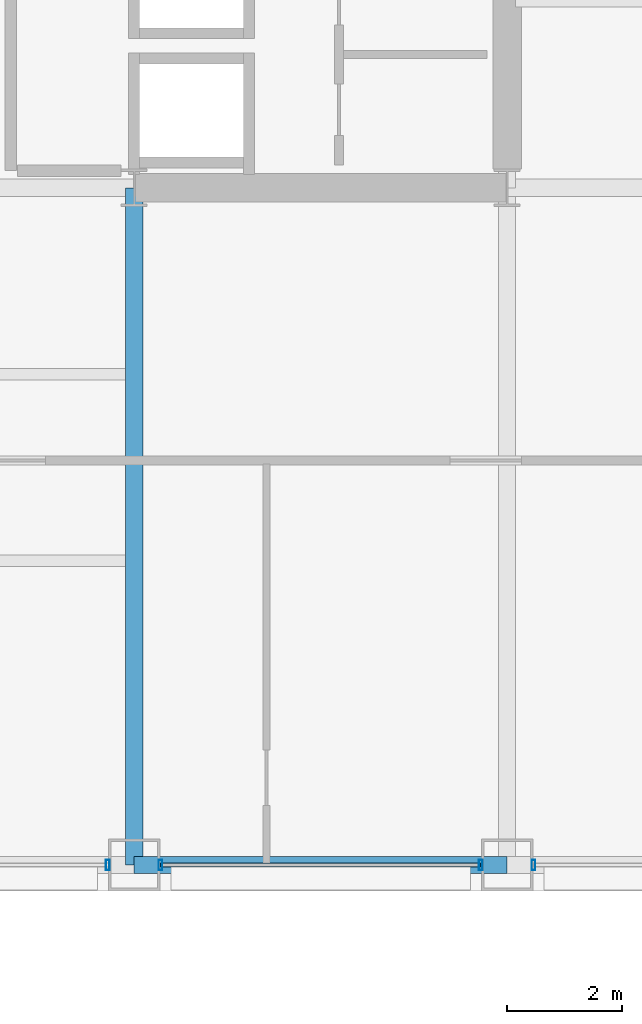
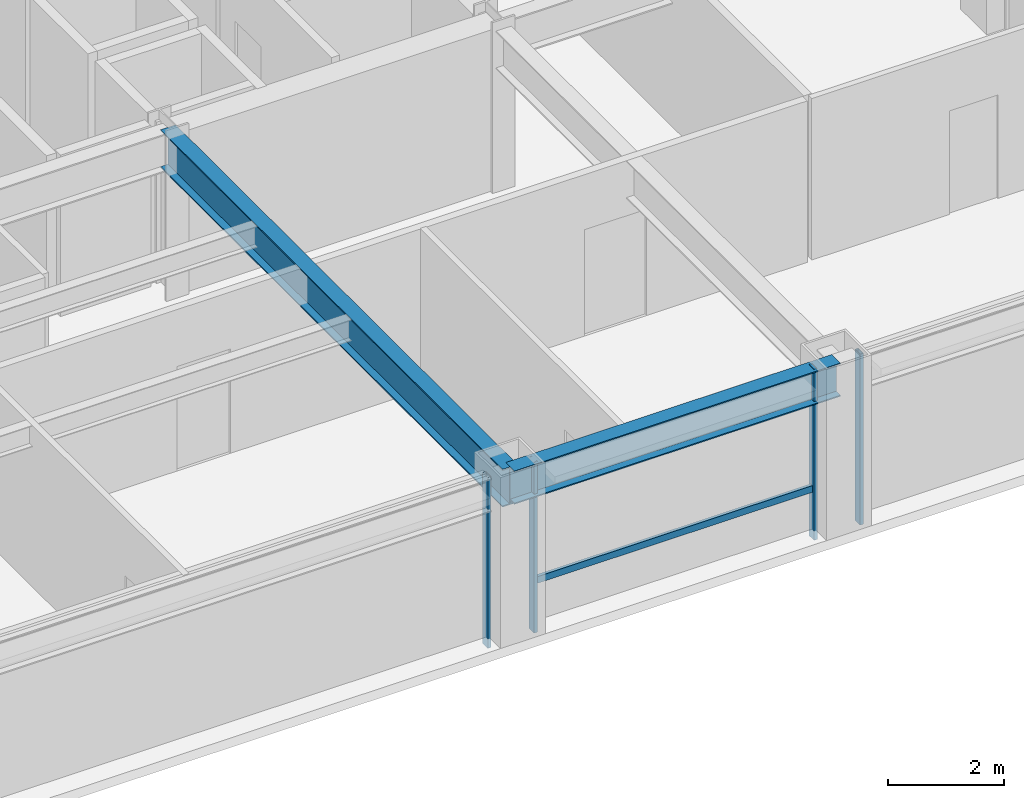
# One storey, part 9 of 30: 5 members, 2 beams, 3 elements without a shape of their own.
"""IFC4 building model written with IfcOpenShell, lengths in metres."""

from ifc_helpers import new_model, si_unit, direction, frame, origin, origin_2d, place, context, subcontext, project, spatial, hollow_rectangle, i_section, extrude, material, layer, layer_set, material_profile, profile_set, type_object, element, aggregate, save


model = new_model("IFC4")

# Units and contexts
model_context = context("Model", 3, precision=1e-05, world=origin(), true_north=direction((0.0, 1.0)))
body_context = subcontext(model_context, "Body", "Model", "MODEL_VIEW")
ifc_project = project(units=[si_unit("LENGTHUNIT", "METRE"), si_unit("AREAUNIT", "SQUARE_METRE"), si_unit("VOLUMEUNIT", "CUBIC_METRE"), si_unit("PLANEANGLEUNIT", "RADIAN"), si_unit("MASSUNIT", "GRAM", prefix="KILO")], contexts=[model_context])

# Site, building, storey
site_placement = place(None, origin())
site = spatial("IfcSite", under=ifc_project, at=site_placement, CompositionType="ELEMENT")
building_placement = place(site_placement, origin())
building = spatial("IfcBuilding", under=site, at=building_placement, Name="Brelmoor Portico Tower", CompositionType="ELEMENT")
storey_placement = place(building_placement, frame((0.0, 0.0, 74.39990234375)))
storey = spatial("IfcBuildingStorey", under=building, at=storey_placement, Name="L19", CompositionType="ELEMENT", Elevation=74.39990234375)

# Beams
ifc_material_1 = material(Name="Steel Q355B", Category="steel")
ifc_material_profile_1 = material_profile(ifc_material_1, i_section(OverallWidth=0.300048828125, OverallDepth=0.800048828125, WebThickness=0.013916015625, FlangeThickness=0.02587890625, at=origin_2d()), Name="HN 800x300x14x26")
ifc_profile_set_1 = profile_set([ifc_material_profile_1], Name="Steel Q355B")
beam_type_1 = type_object("IfcBeamType", Name="BM-PG-800", PredefinedType="BEAM", material=ifc_profile_set_1)
beam_1_placement = place(storey_placement, frame((8.050048828125, -21.550048828125, 3.0), z_axis=(0.0, 1.0, 0.0), x_axis=(-1.0, 0.0, 0.0)))
element("IfcBeam", 1, at=beam_1_placement, inside=storey, type_object=beam_type_1, Name="L19 Primary Floor Girder PG-09", PredefinedType="BEAM", context=body_context, shape_type="SweptSolid", body=[
    extrude(i_section(OverallWidth=0.300048828125, OverallDepth=0.800048828125, WebThickness=0.013916015625, FlangeThickness=0.02587890625, at=origin_2d()), origin(), (0.0, 0.0, 1.0), 11.800048828125),
])
ifc_material_profile_2 = material_profile(ifc_material_1, i_section(OverallWidth=0.300048828125, OverallDepth=0.699951171875, WebThickness=0.012939453125, FlangeThickness=0.02392578125, at=origin_2d()), Name="HN 700x300x13x24")
ifc_profile_set_2 = profile_set([ifc_material_profile_2], Name="Steel Q355B")
beam_type_2 = type_object("IfcBeamType", Name="BM-SP-700", PredefinedType="SPANDREL", material=ifc_profile_set_2)
beam_2_placement = place(storey_placement, frame((8.050048828125, -21.550048828125, 3.050048828125), z_axis=(1.0, 0.0, 0.0), x_axis=(0.0, 1.0, 0.0)))
element("IfcBeam", 2, at=beam_2_placement, inside=storey, type_object=beam_type_2, Name="L19 Perimeter Spandrel Beam SP-04", PredefinedType="SPANDREL", context=body_context, shape_type="SweptSolid", body=[
    extrude(i_section(OverallWidth=0.300048828125, OverallDepth=0.699951171875, WebThickness=0.012939453125, FlangeThickness=0.02392578125, at=origin_2d()), origin(), (0.0, 0.0, 1.0), 6.5),
])

# Curtain wall, member
ifc_material_2 = material(Name="Anodised Aluminium Alloy 6063-T6", Category="aluminium")
ifc_layer_1 = layer(ifc_material_2, 0.179931640625)
ifc_layer_set_1 = layer_set([ifc_layer_1], Name="Anodised Aluminium Alloy 6063-T6")
curtain_wall_type_1 = type_object("IfcCurtainWallType", Name="CW-TOWER-Z1-XB", PredefinedType="NOTDEFINED", material=ifc_layer_set_1)
curtain_wall_1_placement = place(storey_placement, origin())
curtain_wall_1 = element("IfcCurtainWall", 3, at=curtain_wall_1_placement, inside=storey, type_object=curtain_wall_type_1, Name="L19 Curtain Wall CW-L19-1R-2", PredefinedType="NOTDEFINED")
ifc_material_profile_3 = material_profile(ifc_material_2, hollow_rectangle(XDim=0.06494140625, YDim=0.179931640625, WallThickness=0.00390625, at=origin_2d()), Name="ALU MULLION 65x180")
ifc_profile_set_3 = profile_set([ifc_material_profile_3], Name="Anodised Aluminium Alloy 6063-T6")
member_type_1 = type_object("IfcMemberType", Name="MB-CW-MULL-180", PredefinedType="MULLION", material=ifc_profile_set_3)
member_1_placement = place(storey_placement, frame((7.590087890625, -21.550048828125, -0.199951171875), z_axis=(0.0, 0.0, 1.0), x_axis=(1.0, 0.0, 0.0)))
member_1 = element("IfcMember", 4, at=member_1_placement, type_object=member_type_1, Name="CW-L19-1R-2 Mullion 01", PredefinedType="MULLION", context=body_context, shape_type="SweptSolid", body=[
    extrude(hollow_rectangle(XDim=0.06494140625, YDim=0.179931640625, WallThickness=0.00390625, at=origin_2d()), origin(), (0.0, 0.0, 1.0), 3.60009765625),
])
aggregate(curtain_wall_1, [member_1])

# Curtain wall, members
ifc_layer_2 = layer(ifc_material_2, 0.179931640625)
ifc_layer_set_2 = layer_set([ifc_layer_2], Name="Anodised Aluminium Alloy 6063-T6")
curtain_wall_type_2 = type_object("IfcCurtainWallType", Name="CW-TOWER-Z1", PredefinedType="NOTDEFINED", material=ifc_layer_set_2)
curtain_wall_2_placement = place(storey_placement, origin())
curtain_wall_2 = element("IfcCurtainWall", 5, at=curtain_wall_2_placement, inside=storey, type_object=curtain_wall_type_2, Name="L19 Curtain Wall CW-L19-1R-3", PredefinedType="NOTDEFINED")
member_2_placement = place(storey_placement, frame((8.510009765625, -21.550048828125, -0.199951171875), z_axis=(0.0, 0.0, 1.0), x_axis=(1.0, 0.0, 0.0)))
member_2 = element("IfcMember", 6, at=member_2_placement, type_object=member_type_1, Name="CW-L19-1R-3 Mullion 00", PredefinedType="MULLION", context=body_context, shape_type="SweptSolid", body=[
    extrude(hollow_rectangle(XDim=0.06494140625, YDim=0.179931640625, WallThickness=0.00390625, at=origin_2d()), origin(), (0.0, 0.0, 1.0), 3.60009765625),
])
member_3_placement = place(storey_placement, frame((14.090087890625, -21.550048828125, -0.199951171875), z_axis=(0.0, 0.0, 1.0), x_axis=(1.0, 0.0, 0.0)))
member_3 = element("IfcMember", 7, at=member_3_placement, type_object=member_type_1, Name="CW-L19-1R-3 Mullion 01", PredefinedType="MULLION", context=body_context, shape_type="SweptSolid", body=[
    extrude(hollow_rectangle(XDim=0.06494140625, YDim=0.179931640625, WallThickness=0.00390625, at=origin_2d()), origin(), (0.0, 0.0, 1.0), 3.60009765625),
])

# Curtain wall, member
curtain_wall_3_placement = place(storey_placement, origin())
curtain_wall_3 = element("IfcCurtainWall", 8, at=curtain_wall_3_placement, inside=storey, type_object=curtain_wall_type_1, Name="L19 Curtain Wall CW-L19-1R-4", PredefinedType="NOTDEFINED")
member_4_placement = place(storey_placement, frame((15.010009765625, -21.550048828125, -0.199951171875), z_axis=(0.0, 0.0, 1.0), x_axis=(1.0, 0.0, 0.0)))
member_4 = element("IfcMember", 9, at=member_4_placement, type_object=member_type_1, Name="CW-L19-1R-4 Mullion 00", PredefinedType="MULLION", context=body_context, shape_type="SweptSolid", body=[
    extrude(hollow_rectangle(XDim=0.06494140625, YDim=0.179931640625, WallThickness=0.00390625, at=origin_2d()), origin(), (0.0, 0.0, 1.0), 3.60009765625),
])
aggregate(curtain_wall_3, [member_4])

# Member
ifc_material_profile_4 = material_profile(ifc_material_2, hollow_rectangle(XDim=0.06494140625, YDim=0.139892578125, WallThickness=0.00390625, at=origin_2d()), Name="ALU TRANSOM 65x140")
ifc_profile_set_4 = profile_set([ifc_material_profile_4], Name="Anodised Aluminium Alloy 6063-T6")
member_type_2 = type_object("IfcMemberType", Name="MB-CW-TRAN-140", PredefinedType="USERDEFINED", material=ifc_profile_set_4)
member_5_placement = place(storey_placement, frame((8.510009765625, -21.550048828125, 0.85009765625), z_axis=(1.0, 0.0, 0.0), x_axis=(0.0, 1.0, 0.0)))
member_5 = element("IfcMember", 10, at=member_5_placement, type_object=member_type_2, Name="CW-L19-1R-3 Transom 1-00", ObjectType="TRANSOM", PredefinedType="USERDEFINED", context=body_context, shape_type="SweptSolid", body=[
    extrude(hollow_rectangle(XDim=0.06494140625, YDim=0.139892578125, WallThickness=0.00390625, at=origin_2d()), origin(), (0.0, 0.0, 1.0), 5.580078125),
])

aggregate(curtain_wall_2, [member_2, member_3, member_5])

save(model, "model.ifc")
